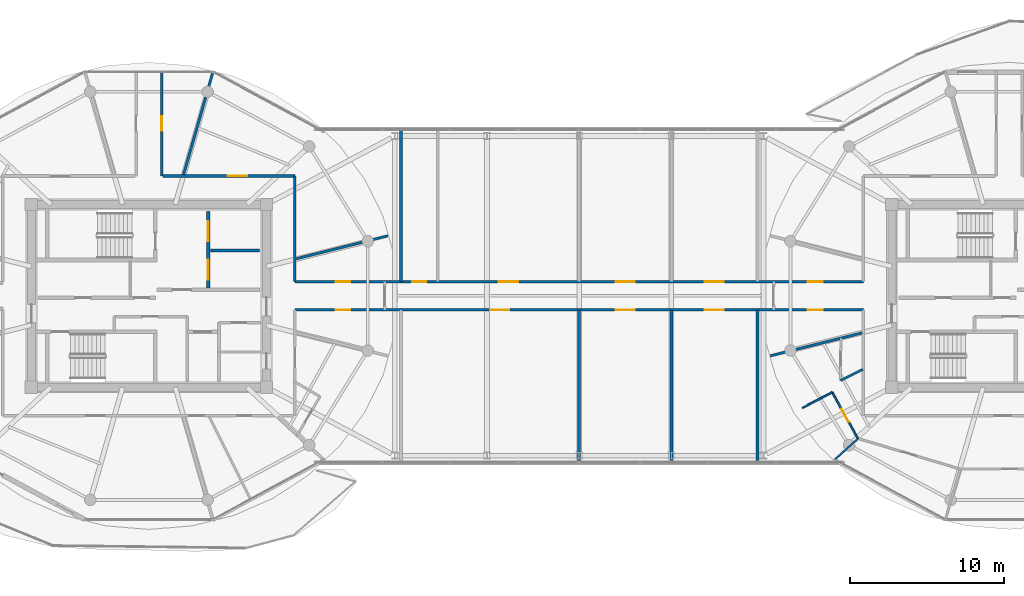
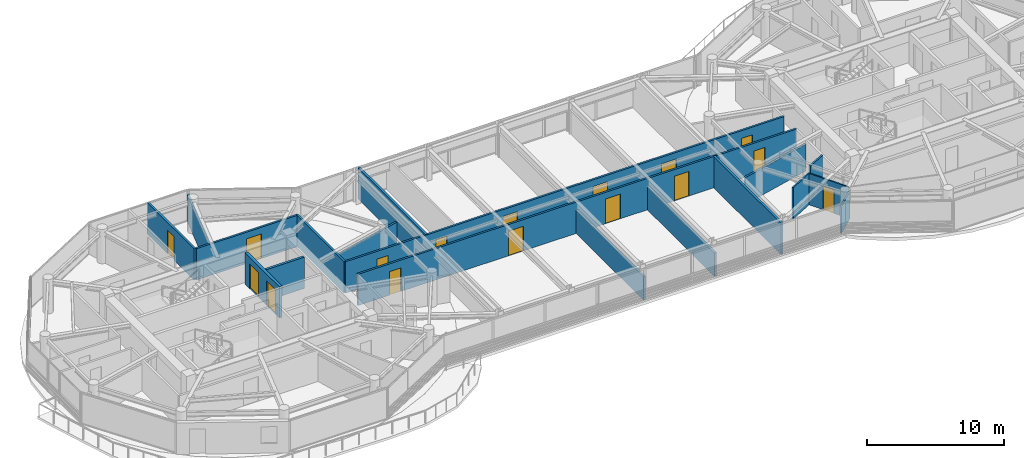
# One storey, part 16 of 23: 18 walls, 16 doors, 16 openings.
"""IFC4 building model written with IfcOpenShell, lengths in metres."""

from ifc_helpers import new_model, si_unit, direction, frame, frame_2d, origin, place, context, subcontext, project, spatial, rectangle, extrude, source, transform, mapped, material, layer, layer_set, type_object, type_shapes, element, fill, save


model = new_model("IFC4")

# Units and contexts
model_context = context("Model", 3, precision=1e-05, world=origin(), true_north=direction((0.0, 1.0)))
body_context = subcontext(model_context, "Body", "Model", "MODEL_VIEW")
ifc_project = project(units=[si_unit("LENGTHUNIT", "METRE"), si_unit("AREAUNIT", "SQUARE_METRE"), si_unit("VOLUMEUNIT", "CUBIC_METRE"), si_unit("PLANEANGLEUNIT", "RADIAN"), si_unit("MASSUNIT", "GRAM", prefix="KILO")], contexts=[model_context])

# Site, building, storey
site_placement = place(None, origin())
site = spatial("IfcSite", under=ifc_project, at=site_placement, CompositionType="ELEMENT")
building_placement = place(site_placement, origin())
building = spatial("IfcBuilding", under=site, at=building_placement, Name="Norrkilde Senior Care Towers", CompositionType="ELEMENT")
storey_placement = place(building_placement, frame((0.0, 0.0, 229.14990234375)))
storey = spatial("IfcBuildingStorey", under=building, at=storey_placement, Name="L71", CompositionType="ELEMENT", Elevation=229.14990234375)

# Wall, openings, doors
ifc_material_1 = material(Name="Concrete C45/55", Category="concrete")
ifc_layer_1 = layer(ifc_material_1, 0.239990234375)
ifc_layer_set_1 = layer_set([ifc_layer_1], Name="Concrete C45/55")
wall_type_1 = type_object("IfcWallType", Name="Lift and Plant Rated Enclosure Partition 240", PredefinedType="PARTITIONING", material=ifc_layer_set_1)
shared_shape_1 = source(origin(), body_context, "Body", "SweptSolid", [
    extrude(rectangle(XDim=5.0, YDim=0.239990234375, at=frame_2d((2.5, 0.0))), origin(), (0.0, 0.0, 1.0), 2.795166015625),
])
type_shapes(wall_type_1, [shared_shape_1])
wall_1_placement = place(storey_placement, frame((-24.139892578125, 0.5, 0.0), z_axis=(0.0, 0.0, 1.0), x_axis=(0.0, 1.0, 0.0)))
wall_1 = element("IfcWall", 1, at=wall_1_placement, inside=storey, type_object=wall_type_1, Name="WL-INT-L71-W-FFLE", PredefinedType="PARTITIONING", context=body_context, shape_type="MappedRepresentation", body=[
    mapped(shared_shape_1, transform((0.0, 0.0, 0.0), x_axis=(1.0, 0.0, 0.0), y_axis=(0.0, 1.0, 0.0), z_axis=(0.0, 0.0, 1.0), scale=1.0)),
])
opening_1_placement = place(wall_1_placement, frame((3.050048828125, 0.0, 0.0)))
opening_1 = element("IfcOpeningElement", 2, at=opening_1_placement, cuts=wall_1, Name="Opening LD-02", PredefinedType="OPENING", context=body_context, shape_type="SweptSolid", body=[
    extrude(rectangle(XDim=1.300048828125, YDim=2.199951171875, at=frame_2d((0.64990234375, 1.10009765625))), frame((0.0, 0.1298828125, 0.0), z_axis=(0.0, -1.0, 0.0), x_axis=(1.0, 0.0, 0.0)), (0.0, 0.0, 1.0), 0.260009765625),
])
opening_2_placement = place(wall_1_placement, frame((0.550048828125, 0.0, 0.0)))
opening_2 = element("IfcOpeningElement", 3, at=opening_2_placement, cuts=wall_1, Name="Opening LD-02", PredefinedType="OPENING", context=body_context, shape_type="SweptSolid", body=[
    extrude(rectangle(XDim=1.300048828125, YDim=2.199951171875, at=frame_2d((0.64990234375, 1.10009765625))), frame((0.0, 0.1298828125, 0.0), z_axis=(0.0, -1.0, 0.0), x_axis=(1.0, 0.0, 0.0)), (0.0, 0.0, 1.0), 0.260009765625),
])
ifc_material_2 = material(Name="Stainless Steel", Category="steel")
door_type_1 = type_object("IfcDoorType", Name="Stretcher and FFL Landing Sliding Door 1300x2200", OperationType="NOTDEFINED", PredefinedType="DOOR", material=ifc_material_2)
shared_shape_2 = source(origin(), body_context, "Body", "SweptSolid", [
    extrude(rectangle(XDim=1.300048828125, YDim=2.199951171875, at=frame_2d((0.64990234375, 1.10009765625))), frame((0.0, 0.02490234375, 0.0), z_axis=(0.0, -1.0, 0.0), x_axis=(1.0, 0.0, 0.0)), (0.0, 0.0, 1.0), 0.050048828125),
])
type_shapes(door_type_1, [shared_shape_2])
door_1_placement = place(opening_1_placement, origin())
door_1 = element("IfcDoor", 4, at=door_1_placement, inside=storey, type_object=door_type_1, Name="L71 Firefighting Lift W1 Landing Door", OperationType="SLIDING_TO_LEFT", OverallHeight=2.199951171875, OverallWidth=1.300048828125, PredefinedType="DOOR", context=body_context, shape_type="MappedRepresentation", body=[
    mapped(shared_shape_2, transform((0.0, 0.0, 0.0), x_axis=(1.0, 0.0, 0.0), y_axis=(0.0, 1.0, 0.0), z_axis=(0.0, 0.0, 1.0), scale=1.0)),
])
fill(opening_1, door_1)
door_2_placement = place(opening_2_placement, origin())
door_2 = element("IfcDoor", 5, at=door_2_placement, inside=storey, type_object=door_type_1, Name="L71 Stretcher Lift W1 Landing Door", OperationType="SLIDING_TO_RIGHT", OverallHeight=2.199951171875, OverallWidth=1.300048828125, PredefinedType="DOOR", context=body_context, shape_type="MappedRepresentation", body=[
    mapped(shared_shape_2, transform((0.0, 0.0, 0.0), x_axis=(1.0, 0.0, 0.0), y_axis=(0.0, 1.0, 0.0), z_axis=(0.0, 0.0, 1.0), scale=1.0)),
])
fill(opening_2, door_2)

# Wall
ifc_layer_2 = layer(ifc_material_1, 0.199951171875)
ifc_layer_set_2 = layer_set([ifc_layer_2], Name="Concrete C45/55")
wall_type_2 = type_object("IfcWallType", Name="Shaft Division and Plant Partition 200", PredefinedType="PARTITIONING", material=ifc_layer_set_2)
shared_shape_3 = source(origin(), body_context, "Body", "SweptSolid", [
    extrude(rectangle(XDim=3.199951171875, YDim=0.199951171875, at=frame_2d((1.60009765625, 0.0))), origin(), (0.0, 0.0, 1.0), 2.795166015625),
])
type_shapes(wall_type_2, [shared_shape_3])
wall_2_placement = place(storey_placement, frame((-24.0, 2.949951171875, 0.0), z_axis=(0.0, 0.0, 1.0), x_axis=(1.0, 0.0, 0.0)))
element("IfcWall", 6, at=wall_2_placement, inside=storey, type_object=wall_type_2, Name="WL-INT-L71-W-FFLDIV", PredefinedType="PARTITIONING", context=body_context, shape_type="MappedRepresentation", body=[
    mapped(shared_shape_3, transform((0.0, 0.0, 0.0), x_axis=(1.0, 0.0, 0.0), y_axis=(0.0, 1.0, 0.0), z_axis=(0.0, 0.0, 1.0), scale=1.0)),
])

# Wall, opening, door
ifc_material_3 = material(Name="Gypsum Acoustic Board")
ifc_layer_3 = layer(ifc_material_3, 0.1650390625)
ifc_layer_set_3 = layer_set([ifc_layer_3], Name="Gypsum Acoustic Board")
wall_type_3 = type_object("IfcWallType", Name="Corridor Rated Partition 165", PredefinedType="PARTITIONING", material=ifc_layer_set_3)
shared_shape_4 = source(origin(), body_context, "Body", "SweptSolid", [
    extrude(rectangle(XDim=8.580078125, YDim=0.1650390625, at=frame_2d((4.2900390625, 0.0))), origin(), (0.0, 0.0, 1.0), 2.795166015625),
])
wall_3_placement = place(storey_placement, frame((-27.080078125, 7.800048828125, 0.0), z_axis=(0.0, 0.0, 1.0), x_axis=(1.0, 0.0, 0.0)))
wall_3 = element("IfcWall", 7, at=wall_3_placement, inside=storey, type_object=wall_type_3, Name="WL-INT-L71-W-CRW-N-1", PredefinedType="PARTITIONING", context=body_context, shape_type="MappedRepresentation", body=[
    mapped(shared_shape_4, transform((0.0, 0.0, 0.0), x_axis=(1.0, 0.0, 0.0), y_axis=(0.0, 1.0, 0.0), z_axis=(0.0, 0.0, 1.0), scale=1.0)),
])
opening_3_placement = place(wall_3_placement, frame((4.2197265625, 0.0, 0.0)))
opening_3 = element("IfcOpeningElement", 8, at=opening_3_placement, cuts=wall_3, Name="Opening D-05", PredefinedType="OPENING", context=body_context, shape_type="SweptSolid", body=[
    extrude(rectangle(XDim=1.25, YDim=2.199951171875, at=frame_2d((0.625, 1.10009765625))), frame((0.0, 0.092529296875, 0.0), z_axis=(0.0, -1.0, 0.0), x_axis=(1.0, 0.0, 0.0)), (0.0, 0.0, 1.0), 0.18505859375),
])
ifc_material_4 = material(Name="Nordic Ash Timber", Category="wood")
door_type_2 = type_object("IfcDoorType", Name="Care Bedroom Bariatric Door 1250x2200", OperationType="NOTDEFINED", PredefinedType="DOOR", material=ifc_material_4)
shared_shape_5 = source(origin(), body_context, "Body", "SweptSolid", [
    extrude(rectangle(XDim=1.25, YDim=2.199951171875, at=frame_2d((0.625, 1.10009765625))), frame((0.0, 0.02490234375, 0.0), z_axis=(0.0, -1.0, 0.0), x_axis=(1.0, 0.0, 0.0)), (0.0, 0.0, 1.0), 0.050048828125),
])
type_shapes(door_type_2, [shared_shape_5])
door_3_placement = place(opening_3_placement, frame((1.25, 0.0, 0.0), z_axis=(0.0, 0.0, 1.0), x_axis=(-1.0, 0.0, 0.0)))
door_3 = element("IfcDoor", 9, at=door_3_placement, inside=storey, type_object=door_type_2, Name="L71 Household Communal Dining Salon Door", OperationType="SINGLE_SWING_LEFT", OverallHeight=2.199951171875, OverallWidth=1.25, PredefinedType="DOOR", context=body_context, shape_type="MappedRepresentation", body=[
    mapped(shared_shape_5, transform((0.0, 0.0, 0.0), x_axis=(1.0, 0.0, 0.0), y_axis=(0.0, 1.0, 0.0), z_axis=(0.0, 0.0, 1.0), scale=1.0)),
])
fill(opening_3, door_3)

# Walls
shared_shape_6 = source(origin(), body_context, "Body", "SweptSolid", [
    extrude(rectangle(XDim=6.880126953125, YDim=0.1650390625, at=frame_2d((3.43994140625, 0.0))), origin(), (0.0, 0.0, 1.0), 2.795166015625),
])
wall_4_placement = place(storey_placement, frame((-18.5, 7.800048828125, 0.0), z_axis=(0.0, 0.0, 1.0), x_axis=(0.0, -1.0, 0.0)))
element("IfcWall", 10, at=wall_4_placement, inside=storey, type_object=wall_type_3, Name="WL-INT-L71-W-CRW-E-0", PredefinedType="PARTITIONING", context=body_context, shape_type="MappedRepresentation", body=[
    mapped(shared_shape_6, transform((0.0, 0.0, 0.0), x_axis=(1.0, 0.0, 0.0), y_axis=(0.0, 1.0, 0.0), z_axis=(0.0, 0.0, 1.0), scale=1.0)),
])
shared_shape_7 = source(origin(), body_context, "Body", "SweptSolid", [
    extrude(rectangle(XDim=6.973876953125, YDim=0.1650390625, at=frame_2d((3.48681640625, 0.0))), origin(), (0.0, 0.0, 1.0), 2.39501953125),
])
wall_5_placement = place(storey_placement, frame((-25.748779296875, 7.8798828125, 0.0), z_axis=(0.0, 0.0, 1.0), x_axis=(0.274707256801, 0.961527910703, 0.0)))
element("IfcWall", 11, at=wall_5_placement, inside=storey, type_object=wall_type_3, Name="WL-INT-L71-W-DEM-02-0", PredefinedType="PARTITIONING", context=body_context, shape_type="MappedRepresentation", body=[
    mapped(shared_shape_7, transform((0.0, 0.0, 0.0), x_axis=(1.0, 0.0, 0.0), y_axis=(0.0, 1.0, 0.0), z_axis=(0.0, 0.0, 1.0), scale=1.0)),
])
shared_shape_8 = source(origin(), body_context, "Body", "SweptSolid", [
    extrude(rectangle(XDim=6.1572265625, YDim=0.1650390625, at=frame_2d((3.07861328125, 0.0))), origin(), (0.0, 0.0, 1.0), 2.39501953125),
])
for number, where, z_axis, x_axis, name in (
    (12, (-18.419921875, 2.407470703125, 0.0), (0.0, 0.0, 1.0), (0.969840867184, 0.243738984038, 0.0), "WL-INT-L71-W-DEM-00-0"),
    (13, (18.419921875, -2.407470703125, 0.0), (0.0, 0.0, 1.0), (-0.969840867184, -0.243738984038, 0.0), "WL-INT-L71-E-DEM-06-0"),
):
    element("IfcWall", number, at=place(storey_placement, frame(where, z_axis=z_axis, x_axis=x_axis)), inside=storey, type_object=wall_type_3, Name=name, PredefinedType="PARTITIONING", context=body_context, shape_type="MappedRepresentation", body=[
        mapped(shared_shape_8, transform((0.0, 0.0, 0.0), x_axis=(1.0, 0.0, 0.0), y_axis=(0.0, 1.0, 0.0), z_axis=(0.0, 0.0, 1.0), scale=1.0)),
    ])

# Wall, opening, door
shared_shape_9 = source(origin(), body_context, "Body", "SweptSolid", [
    extrude(rectangle(XDim=6.83544921875, YDim=0.1650390625, at=frame_2d((3.417724609375, 0.0))), origin(), (0.0, 0.0, 1.0), 2.795166015625),
])
wall_6_placement = place(storey_placement, frame((-27.159912109375, 14.635498046875, 0.0), z_axis=(0.0, 0.0, 1.0), x_axis=(0.0, -1.0, 0.0)))
wall_6 = element("IfcWall", 14, at=wall_6_placement, inside=storey, type_object=wall_type_3, Name="WL-INT-L71-W-SPK-N2-0", PredefinedType="PARTITIONING", context=body_context, shape_type="MappedRepresentation", body=[
    mapped(shared_shape_9, transform((0.0, 0.0, 0.0), x_axis=(1.0, 0.0, 0.0), y_axis=(0.0, 1.0, 0.0), z_axis=(0.0, 0.0, 1.0), scale=1.0)),
])
opening_4_placement = place(wall_6_placement, frame((2.942626953125, 0.0, 0.0)))
opening_4 = element("IfcOpeningElement", 15, at=opening_4_placement, cuts=wall_6, Name="Opening D-07", PredefinedType="OPENING", context=body_context, shape_type="SweptSolid", body=[
    extrude(rectangle(XDim=0.949951171875, YDim=2.10009765625, at=frame_2d((0.47509765625, 1.050048828125))), frame((0.0, 0.092529296875, 0.0), z_axis=(0.0, -1.0, 0.0), x_axis=(1.0, 0.0, 0.0)), (0.0, 0.0, 1.0), 0.18505859375),
])
door_type_3 = type_object("IfcDoorType", Name="Internal Suite Bedroom Door 950x2100", OperationType="NOTDEFINED", PredefinedType="DOOR", material=ifc_material_4)
shared_shape_10 = source(origin(), body_context, "Body", "SweptSolid", [
    extrude(rectangle(XDim=0.949951171875, YDim=2.10009765625, at=frame_2d((0.47509765625, 1.050048828125))), frame((0.0, 0.02490234375, 0.0), z_axis=(0.0, -1.0, 0.0), x_axis=(1.0, 0.0, 0.0)), (0.0, 0.0, 1.0), 0.050048828125),
])
type_shapes(door_type_3, [shared_shape_10])
door_4_placement = place(opening_4_placement, frame((0.949951171875, 0.0, 0.0), z_axis=(0.0, 0.0, 1.0), x_axis=(-1.0, 0.0, 0.0)))
door_4 = element("IfcDoor", 16, at=door_4_placement, inside=storey, type_object=door_type_3, Name="L71 Sun Reading Lounge 4 Door", OperationType="SINGLE_SWING_LEFT", OverallHeight=2.10009765625, OverallWidth=0.949951171875, PredefinedType="DOOR", context=body_context, shape_type="MappedRepresentation", body=[
    mapped(shared_shape_10, transform((0.0, 0.0, 0.0), x_axis=(1.0, 0.0, 0.0), y_axis=(0.0, 1.0, 0.0), z_axis=(0.0, 0.0, 1.0), scale=1.0)),
])
fill(opening_4, door_4)

# Walls
ifc_layer_4 = layer(ifc_material_3, 0.114990234375)
ifc_layer_set_4 = layer_set([ifc_layer_4], Name="Gypsum Acoustic Board")
wall_type_4 = type_object("IfcWallType", Name="Internal Room Partition 115", PredefinedType="PARTITIONING", material=ifc_layer_set_4)
shared_shape_11 = source(origin(), body_context, "Body", "SweptSolid", [
    extrude(rectangle(XDim=2.071533203125, YDim=0.114990234375, at=frame_2d((1.03564453125, 0.0))), origin(), (0.0, 0.0, 1.0), 2.39501953125),
])
wall_7_placement = place(storey_placement, frame((18.1513671875, -9.287109375, 0.0), z_axis=(0.0, 0.0, 1.0), x_axis=(-0.741410125356, -0.671052178314, 0.0)))
element("IfcWall", 17, at=wall_7_placement, inside=storey, type_object=wall_type_4, Name="WL-INT-L71-E-UBR-06-1", PredefinedType="PARTITIONING", context=body_context, shape_type="MappedRepresentation", body=[
    mapped(shared_shape_11, transform((0.0, 0.0, 0.0), x_axis=(1.0, 0.0, 0.0), y_axis=(0.0, 1.0, 0.0), z_axis=(0.0, 0.0, 1.0), scale=1.0)),
])
ifc_layer_5 = layer(ifc_material_3, 0.139892578125)
ifc_layer_set_5 = layer_set([ifc_layer_5], Name="Gypsum Acoustic Board")
wall_type_5 = type_object("IfcWallType", Name="En-suite Wet Room Wall 140", PredefinedType="PARTITIONING", material=ifc_layer_set_5)
shared_shape_12 = source(origin(), body_context, "Body", "SweptSolid", [
    extrude(rectangle(XDim=1.638427734375, YDim=0.139892578125, at=frame_2d((0.8193359375, 0.0))), origin(), (0.0, 0.0, 1.0), 2.795166015625),
])
type_shapes(wall_type_5, [shared_shape_12])
wall_8_placement = place(storey_placement, frame((18.469970703125, -4.7783203125, 0.0), z_axis=(0.0, 0.0, 1.0), x_axis=(-0.893919977945, -0.448226586707, 0.0)))
element("IfcWall", 18, at=wall_8_placement, inside=storey, type_object=wall_type_5, Name="WL-INT-L71-E-UBTS-06", PredefinedType="PARTITIONING", context=body_context, shape_type="MappedRepresentation", body=[
    mapped(shared_shape_12, transform((0.0, 0.0, 0.0), x_axis=(1.0, 0.0, 0.0), y_axis=(0.0, 1.0, 0.0), z_axis=(0.0, 0.0, 1.0), scale=1.0)),
])
shared_shape_13 = source(origin(), body_context, "Body", "SweptSolid", [
    extrude(rectangle(XDim=2.193115234375, YDim=0.114990234375, at=frame_2d((1.0966796875, 0.0))), origin(), (0.0, 0.0, 1.0), 2.795166015625),
])
wall_9_placement = place(storey_placement, frame((16.474609375, -6.27490234375, 0.0), z_axis=(0.0, 0.0, 1.0), x_axis=(-0.885783595046, -0.464098505435, 0.0)))
element("IfcWall", 19, at=wall_9_placement, inside=storey, type_object=wall_type_4, Name="WL-INT-L71-E-UKTS-06", PredefinedType="PARTITIONING", context=body_context, shape_type="MappedRepresentation", body=[
    mapped(shared_shape_13, transform((0.0, 0.0, 0.0), x_axis=(1.0, 0.0, 0.0), y_axis=(0.0, 1.0, 0.0), z_axis=(0.0, 0.0, 1.0), scale=1.0)),
])

# Wall, opening, door
shared_shape_14 = source(origin(), body_context, "Body", "SweptSolid", [
    extrude(rectangle(XDim=3.4501953125, YDim=0.114990234375, at=frame_2d((1.72509765625, 0.0))), origin(), (0.0, 0.0, 1.0), 2.795166015625),
])
type_shapes(wall_type_4, [shared_shape_11, shared_shape_13, shared_shape_14])
wall_10_placement = place(storey_placement, frame((16.474609375, -6.27490234375, 0.0), z_axis=(0.0, 0.0, 1.0), x_axis=(0.483659007882, -0.875256513312, 0.0)))
wall_10 = element("IfcWall", 20, at=wall_10_placement, inside=storey, type_object=wall_type_4, Name="WL-INT-L71-E-UKTF-06", PredefinedType="PARTITIONING", context=body_context, shape_type="MappedRepresentation", body=[
    mapped(shared_shape_14, transform((0.0, 0.0, 0.0), x_axis=(1.0, 0.0, 0.0), y_axis=(0.0, 1.0, 0.0), z_axis=(0.0, 0.0, 1.0), scale=1.0)),
])
opening_5_placement = place(wall_10_placement, frame((1.25, 0.0, 0.0)))
opening_5 = element("IfcOpeningElement", 21, at=opening_5_placement, cuts=wall_10, Name="Opening D-07", PredefinedType="OPENING", context=body_context, shape_type="SweptSolid", body=[
    extrude(rectangle(XDim=0.949951171875, YDim=2.10009765625, at=frame_2d((0.47509765625, 1.050048828125))), frame((0.0, 0.0673828125, 0.0), z_axis=(0.0, -1.0, 0.0), x_axis=(1.0, 0.0, 0.0)), (0.0, 0.0, 1.0), 0.135009765625),
])
door_5_placement = place(opening_5_placement, frame((0.949951171875, 0.0, 0.0), z_axis=(0.0, 0.0, 1.0), x_axis=(-1.0, 0.0, 0.0)))
door_5 = element("IfcDoor", 22, at=door_5_placement, inside=storey, type_object=door_type_3, Name="Apartment 71D Kitchen Door", OperationType="SINGLE_SWING_LEFT", OverallHeight=2.10009765625, OverallWidth=0.949951171875, PredefinedType="DOOR", context=body_context, shape_type="MappedRepresentation", body=[
    mapped(shared_shape_10, transform((0.0, 0.0, 0.0), x_axis=(1.0, 0.0, 0.0), y_axis=(0.0, 1.0, 0.0), z_axis=(0.0, 0.0, 1.0), scale=1.0)),
])
fill(opening_5, door_5)

# Wall, openings, doors
shared_shape_15 = source(origin(), body_context, "Body", "SweptSolid", [
    extrude(rectangle(XDim=37.0, YDim=0.1650390625, at=frame_2d((18.5, 0.0))), origin(), (0.0, 0.0, 1.0), 2.795166015625),
])
type_shapes(wall_type_3, [shared_shape_4, shared_shape_6, shared_shape_7, shared_shape_8, shared_shape_9, shared_shape_15])
wall_11_placement = place(storey_placement, frame((-18.5, -0.919921875, 0.0), z_axis=(0.0, 0.0, 1.0), x_axis=(1.0, 0.0, 0.0)))
wall_11 = element("IfcWall", 23, at=wall_11_placement, inside=storey, type_object=wall_type_3, Name="WL-INT-L71-BR-CS", PredefinedType="PARTITIONING", context=body_context, shape_type="MappedRepresentation", body=[
    mapped(shared_shape_15, transform((0.0, 0.0, 0.0), x_axis=(1.0, 0.0, 0.0), y_axis=(0.0, 1.0, 0.0), z_axis=(0.0, 0.0, 1.0), scale=1.0)),
])
opening_6_placement = place(wall_11_placement, frame((2.66162109375, 0.0, 0.0)))
opening_6 = element("IfcOpeningElement", 24, at=opening_6_placement, cuts=wall_11, Name="Opening D-07", PredefinedType="OPENING", context=body_context, shape_type="SweptSolid", body=[
    extrude(rectangle(XDim=0.949951171875, YDim=2.10009765625, at=frame_2d((0.47509765625, 1.050048828125))), frame((0.0, 0.092529296875, 0.0), z_axis=(0.0, -1.0, 0.0), x_axis=(1.0, 0.0, 0.0)), (0.0, 0.0, 1.0), 0.18505859375),
])
opening_7_placement = place(wall_11_placement, frame((33.38818359375, 0.0, 0.0)))
opening_7 = element("IfcOpeningElement", 25, at=opening_7_placement, cuts=wall_11, Name="Opening D-07", PredefinedType="OPENING", context=body_context, shape_type="SweptSolid", body=[
    extrude(rectangle(XDim=0.949951171875, YDim=2.10009765625, at=frame_2d((0.47509765625, 1.050048828125))), frame((0.0, 0.092529296875, 0.0), z_axis=(0.0, -1.0, 0.0), x_axis=(1.0, 0.0, 0.0)), (0.0, 0.0, 1.0), 0.18505859375),
])
opening_8_placement = place(wall_11_placement, frame((12.7099609375, 0.0, 0.0)))
opening_8 = element("IfcOpeningElement", 26, at=opening_8_placement, cuts=wall_11, Name="Opening D-05", PredefinedType="OPENING", context=body_context, shape_type="SweptSolid", body=[
    extrude(rectangle(XDim=1.25, YDim=2.199951171875, at=frame_2d((0.625, 1.10009765625))), frame((0.0, 0.092529296875, 0.0), z_axis=(0.0, -1.0, 0.0), x_axis=(1.0, 0.0, 0.0)), (0.0, 0.0, 1.0), 0.18505859375),
])
opening_9_placement = place(wall_11_placement, frame((20.875, 0.0, 0.0)))
opening_9 = element("IfcOpeningElement", 27, at=opening_9_placement, cuts=wall_11, Name="Opening D-05", PredefinedType="OPENING", context=body_context, shape_type="SweptSolid", body=[
    extrude(rectangle(XDim=1.25, YDim=2.199951171875, at=frame_2d((0.625, 1.10009765625))), frame((0.0, 0.092529296875, 0.0), z_axis=(0.0, -1.0, 0.0), x_axis=(1.0, 0.0, 0.0)), (0.0, 0.0, 1.0), 0.18505859375),
])
opening_10_placement = place(wall_11_placement, frame((26.675048828125, 0.0, 0.0)))
opening_10 = element("IfcOpeningElement", 28, at=opening_10_placement, cuts=wall_11, Name="Opening D-05", PredefinedType="OPENING", context=body_context, shape_type="SweptSolid", body=[
    extrude(rectangle(XDim=1.25, YDim=2.199951171875, at=frame_2d((0.625, 1.10009765625))), frame((0.0, 0.092529296875, 0.0), z_axis=(0.0, -1.0, 0.0), x_axis=(1.0, 0.0, 0.0)), (0.0, 0.0, 1.0), 0.18505859375),
])
door_6_placement = place(opening_8_placement, origin())
door_6 = element("IfcDoor", 29, at=door_6_placement, inside=storey, type_object=door_type_2, Name="L71 Bridge South Room 1 Door", OperationType="SINGLE_SWING_LEFT", OverallHeight=2.199951171875, OverallWidth=1.25, PredefinedType="DOOR", context=body_context, shape_type="MappedRepresentation", body=[
    mapped(shared_shape_5, transform((0.0, 0.0, 0.0), x_axis=(1.0, 0.0, 0.0), y_axis=(0.0, 1.0, 0.0), z_axis=(0.0, 0.0, 1.0), scale=1.0)),
])
fill(opening_8, door_6)
door_7_placement = place(opening_9_placement, origin())
door_7 = element("IfcDoor", 30, at=door_7_placement, inside=storey, type_object=door_type_2, Name="L71 Bridge South Room 2 Door", OperationType="SINGLE_SWING_RIGHT", OverallHeight=2.199951171875, OverallWidth=1.25, PredefinedType="DOOR", context=body_context, shape_type="MappedRepresentation", body=[
    mapped(shared_shape_5, transform((0.0, 0.0, 0.0), x_axis=(1.0, 0.0, 0.0), y_axis=(0.0, 1.0, 0.0), z_axis=(0.0, 0.0, 1.0), scale=1.0)),
])
fill(opening_9, door_7)
door_8_placement = place(opening_10_placement, origin())
door_8 = element("IfcDoor", 31, at=door_8_placement, inside=storey, type_object=door_type_2, Name="L71 Bridge South Room 3 Door", OperationType="SINGLE_SWING_LEFT", OverallHeight=2.199951171875, OverallWidth=1.25, PredefinedType="DOOR", context=body_context, shape_type="MappedRepresentation", body=[
    mapped(shared_shape_5, transform((0.0, 0.0, 0.0), x_axis=(1.0, 0.0, 0.0), y_axis=(0.0, 1.0, 0.0), z_axis=(0.0, 0.0, 1.0), scale=1.0)),
])
fill(opening_10, door_8)
door_9_placement = place(opening_6_placement, frame((0.949951171875, 0.0, 0.0), z_axis=(0.0, 0.0, 1.0), x_axis=(-1.0, 0.0, 0.0)))
door_9 = element("IfcDoor", 32, at=door_9_placement, inside=storey, type_object=door_type_3, Name="L71 Sun Reading Lounge 5 Door", OperationType="SINGLE_SWING_RIGHT", OverallHeight=2.10009765625, OverallWidth=0.949951171875, PredefinedType="DOOR", context=body_context, shape_type="MappedRepresentation", body=[
    mapped(shared_shape_10, transform((0.0, 0.0, 0.0), x_axis=(1.0, 0.0, 0.0), y_axis=(0.0, 1.0, 0.0), z_axis=(0.0, 0.0, 1.0), scale=1.0)),
])
fill(opening_6, door_9)
door_10_placement = place(opening_7_placement, frame((0.949951171875, 0.0, 0.0), z_axis=(0.0, 0.0, 1.0), x_axis=(-1.0, 0.0, 0.0)))
door_10 = element("IfcDoor", 33, at=door_10_placement, inside=storey, type_object=door_type_3, Name="L71 Sun Reading Lounge 1 Door", OperationType="SINGLE_SWING_RIGHT", OverallHeight=2.10009765625, OverallWidth=0.949951171875, PredefinedType="DOOR", context=body_context, shape_type="MappedRepresentation", body=[
    mapped(shared_shape_10, transform((0.0, 0.0, 0.0), x_axis=(1.0, 0.0, 0.0), y_axis=(0.0, 1.0, 0.0), z_axis=(0.0, 0.0, 1.0), scale=1.0)),
])
fill(opening_7, door_10)

wall_12_placement = place(storey_placement, frame((-18.5, 0.919921875, 0.0), z_axis=(0.0, 0.0, 1.0), x_axis=(1.0, 0.0, 0.0)))
wall_12 = element("IfcWall", 34, at=wall_12_placement, inside=storey, type_object=wall_type_3, Name="WL-INT-L71-BR-CN", PredefinedType="PARTITIONING", context=body_context, shape_type="MappedRepresentation", body=[
    mapped(shared_shape_15, transform((0.0, 0.0, 0.0), x_axis=(1.0, 0.0, 0.0), y_axis=(0.0, 1.0, 0.0), z_axis=(0.0, 0.0, 1.0), scale=1.0)),
])
opening_11_placement = place(wall_12_placement, frame((2.66162109375, 0.0, 0.0)))
opening_11 = element("IfcOpeningElement", 35, at=opening_11_placement, cuts=wall_12, Name="Opening D-07", PredefinedType="OPENING", context=body_context, shape_type="SweptSolid", body=[
    extrude(rectangle(XDim=0.949951171875, YDim=2.10009765625, at=frame_2d((0.47509765625, 1.050048828125))), frame((0.0, 0.092529296875, 0.0), z_axis=(0.0, -1.0, 0.0), x_axis=(1.0, 0.0, 0.0)), (0.0, 0.0, 1.0), 0.18505859375),
])
opening_12_placement = place(wall_12_placement, frame((33.38818359375, 0.0, 0.0)))
opening_12 = element("IfcOpeningElement", 36, at=opening_12_placement, cuts=wall_12, Name="Opening D-07", PredefinedType="OPENING", context=body_context, shape_type="SweptSolid", body=[
    extrude(rectangle(XDim=0.949951171875, YDim=2.10009765625, at=frame_2d((0.47509765625, 1.050048828125))), frame((0.0, 0.092529296875, 0.0), z_axis=(0.0, -1.0, 0.0), x_axis=(1.0, 0.0, 0.0)), (0.0, 0.0, 1.0), 0.18505859375),
])
opening_13_placement = place(wall_12_placement, frame((7.639892578125, 0.0, 0.0)))
opening_13 = element("IfcOpeningElement", 37, at=opening_13_placement, cuts=wall_12, Name="Opening D-08", PredefinedType="OPENING", context=body_context, shape_type="SweptSolid", body=[
    extrude(rectangle(XDim=0.919921875, YDim=2.10009765625, at=frame_2d((0.4599609375, 1.050048828125))), frame((0.0, 0.092529296875, 0.0), z_axis=(0.0, -1.0, 0.0), x_axis=(1.0, 0.0, 0.0)), (0.0, 0.0, 1.0), 0.18505859375),
])
opening_14_placement = place(wall_12_placement, frame((13.27490234375, 0.0, 0.0)))
opening_14 = element("IfcOpeningElement", 38, at=opening_14_placement, cuts=wall_12, Name="Opening D-05", PredefinedType="OPENING", context=body_context, shape_type="SweptSolid", body=[
    extrude(rectangle(XDim=1.25, YDim=2.199951171875, at=frame_2d((0.625, 1.10009765625))), frame((0.0, 0.092529296875, 0.0), z_axis=(0.0, -1.0, 0.0), x_axis=(1.0, 0.0, 0.0)), (0.0, 0.0, 1.0), 0.18505859375),
])
opening_15_placement = place(wall_12_placement, frame((20.875, 0.0, 0.0)))
opening_15 = element("IfcOpeningElement", 39, at=opening_15_placement, cuts=wall_12, Name="Opening D-05", PredefinedType="OPENING", context=body_context, shape_type="SweptSolid", body=[
    extrude(rectangle(XDim=1.25, YDim=2.199951171875, at=frame_2d((0.625, 1.10009765625))), frame((0.0, 0.092529296875, 0.0), z_axis=(0.0, -1.0, 0.0), x_axis=(1.0, 0.0, 0.0)), (0.0, 0.0, 1.0), 0.18505859375),
])
opening_16_placement = place(wall_12_placement, frame((26.675048828125, 0.0, 0.0)))
opening_16 = element("IfcOpeningElement", 40, at=opening_16_placement, cuts=wall_12, Name="Opening D-05", PredefinedType="OPENING", context=body_context, shape_type="SweptSolid", body=[
    extrude(rectangle(XDim=1.25, YDim=2.199951171875, at=frame_2d((0.625, 1.10009765625))), frame((0.0, 0.092529296875, 0.0), z_axis=(0.0, -1.0, 0.0), x_axis=(1.0, 0.0, 0.0)), (0.0, 0.0, 1.0), 0.18505859375),
])
door_11_placement = place(opening_14_placement, frame((1.25, 0.0, 0.0), z_axis=(0.0, 0.0, 1.0), x_axis=(-1.0, 0.0, 0.0)))
door_11 = element("IfcDoor", 41, at=door_11_placement, inside=storey, type_object=door_type_2, Name="L71 Bridge North Clinic 1 Door", OperationType="SINGLE_SWING_RIGHT", OverallHeight=2.199951171875, OverallWidth=1.25, PredefinedType="DOOR", context=body_context, shape_type="MappedRepresentation", body=[
    mapped(shared_shape_5, transform((0.0, 0.0, 0.0), x_axis=(1.0, 0.0, 0.0), y_axis=(0.0, 1.0, 0.0), z_axis=(0.0, 0.0, 1.0), scale=1.0)),
])
fill(opening_14, door_11)
door_12_placement = place(opening_15_placement, frame((1.25, 0.0, 0.0), z_axis=(0.0, 0.0, 1.0), x_axis=(-1.0, 0.0, 0.0)))
door_12 = element("IfcDoor", 42, at=door_12_placement, inside=storey, type_object=door_type_2, Name="L71 Bridge North Room 2 Door", OperationType="SINGLE_SWING_LEFT", OverallHeight=2.199951171875, OverallWidth=1.25, PredefinedType="DOOR", context=body_context, shape_type="MappedRepresentation", body=[
    mapped(shared_shape_5, transform((0.0, 0.0, 0.0), x_axis=(1.0, 0.0, 0.0), y_axis=(0.0, 1.0, 0.0), z_axis=(0.0, 0.0, 1.0), scale=1.0)),
])
fill(opening_15, door_12)
door_13_placement = place(opening_16_placement, frame((1.25, 0.0, 0.0), z_axis=(0.0, 0.0, 1.0), x_axis=(-1.0, 0.0, 0.0)))
door_13 = element("IfcDoor", 43, at=door_13_placement, inside=storey, type_object=door_type_2, Name="L71 Bridge North Room 3 Door", OperationType="SINGLE_SWING_RIGHT", OverallHeight=2.199951171875, OverallWidth=1.25, PredefinedType="DOOR", context=body_context, shape_type="MappedRepresentation", body=[
    mapped(shared_shape_5, transform((0.0, 0.0, 0.0), x_axis=(1.0, 0.0, 0.0), y_axis=(0.0, 1.0, 0.0), z_axis=(0.0, 0.0, 1.0), scale=1.0)),
])
fill(opening_16, door_13)
door_type_4 = type_object("IfcDoorType", Name="Accessible Wet Room Door 920x2100", OperationType="NOTDEFINED", PredefinedType="DOOR", material=ifc_material_4)
shared_shape_16 = source(origin(), body_context, "Body", "SweptSolid", [
    extrude(rectangle(XDim=0.919921875, YDim=2.10009765625, at=frame_2d((0.4599609375, 1.050048828125))), frame((0.0, 0.02490234375, 0.0), z_axis=(0.0, -1.0, 0.0), x_axis=(1.0, 0.0, 0.0)), (0.0, 0.0, 1.0), 0.050048828125),
])
type_shapes(door_type_4, [shared_shape_16])
door_14_placement = place(opening_13_placement, frame((0.919921875, 0.0, 0.0), z_axis=(0.0, 0.0, 1.0), x_axis=(-1.0, 0.0, 0.0)))
door_14 = element("IfcDoor", 44, at=door_14_placement, inside=storey, type_object=door_type_4, Name="L71 Bridge Accessible WC Door", OperationType="SINGLE_SWING_LEFT", OverallHeight=2.10009765625, OverallWidth=0.919921875, PredefinedType="DOOR", context=body_context, shape_type="MappedRepresentation", body=[
    mapped(shared_shape_16, transform((0.0, 0.0, 0.0), x_axis=(1.0, 0.0, 0.0), y_axis=(0.0, 1.0, 0.0), z_axis=(0.0, 0.0, 1.0), scale=1.0)),
])
fill(opening_13, door_14)
door_15_placement = place(opening_11_placement, frame((0.949951171875, 0.0, 0.0), z_axis=(0.0, 0.0, 1.0), x_axis=(-1.0, 0.0, 0.0)))
door_15 = element("IfcDoor", 45, at=door_15_placement, inside=storey, type_object=door_type_3, Name="L71 Sun Reading Lounge 6 Door", OperationType="SINGLE_SWING_LEFT", OverallHeight=2.10009765625, OverallWidth=0.949951171875, PredefinedType="DOOR", context=body_context, shape_type="MappedRepresentation", body=[
    mapped(shared_shape_10, transform((0.0, 0.0, 0.0), x_axis=(1.0, 0.0, 0.0), y_axis=(0.0, 1.0, 0.0), z_axis=(0.0, 0.0, 1.0), scale=1.0)),
])
fill(opening_11, door_15)
door_16_placement = place(opening_12_placement, frame((0.949951171875, 0.0, 0.0), z_axis=(0.0, 0.0, 1.0), x_axis=(-1.0, 0.0, 0.0)))
door_16 = element("IfcDoor", 46, at=door_16_placement, inside=storey, type_object=door_type_3, Name="L71 Sun Reading Lounge 2 Door", OperationType="SINGLE_SWING_LEFT", OverallHeight=2.10009765625, OverallWidth=0.949951171875, PredefinedType="DOOR", context=body_context, shape_type="MappedRepresentation", body=[
    mapped(shared_shape_10, transform((0.0, 0.0, 0.0), x_axis=(1.0, 0.0, 0.0), y_axis=(0.0, 1.0, 0.0), z_axis=(0.0, 0.0, 1.0), scale=1.0)),
])
fill(opening_12, door_16)

# Walls
ifc_layer_6 = layer(ifc_material_3, 0.18994140625)
ifc_layer_set_6 = layer_set([ifc_layer_6], Name="Gypsum Acoustic Board")
wall_type_6 = type_object("IfcWallType", Name="Unit Demising Acoustic Wall 190", PredefinedType="PARTITIONING", material=ifc_layer_set_6)
shared_shape_17 = source(origin(), body_context, "Body", "SweptSolid", [
    extrude(rectangle(XDim=9.880126953125, YDim=0.18994140625, at=frame_2d((4.93994140625, 0.0))), origin(), (0.0, 0.0, 1.0), 2.795166015625),
])
for number, where, z_axis, x_axis, name in (
    (47, (-11.60009765625, 0.919921875, 0.0), (0.0, 0.0, 1.0), (0.0, 1.0, 0.0), "WL-INT-L71-BR-EN-12"),
    (48, (11.60009765625, -10.800048828125, 0.0), (0.0, 0.0, 1.0), (0.0, 1.0, 0.0), "WL-INT-L71-BR-ES+12"),
):
    element("IfcWall", number, at=place(storey_placement, frame(where, z_axis=z_axis, x_axis=x_axis)), inside=storey, type_object=wall_type_6, Name=name, PredefinedType="PARTITIONING", context=body_context, shape_type="MappedRepresentation", body=[
        mapped(shared_shape_17, transform((0.0, 0.0, 0.0), x_axis=(1.0, 0.0, 0.0), y_axis=(0.0, 1.0, 0.0), z_axis=(0.0, 0.0, 1.0), scale=1.0)),
    ])
shared_shape_18 = source(origin(), body_context, "Body", "SweptSolid", [
    extrude(rectangle(XDim=9.880126953125, YDim=0.18994140625, at=frame_2d((4.93994140625, 0.0))), origin(), (0.0, 0.0, 1.0), 2.09521484375),
])
type_shapes(wall_type_6, [shared_shape_17, shared_shape_18])
for number, where, z_axis, x_axis, name in (
    (49, (0.0, -10.800048828125, 0.0), (0.0, 0.0, 1.0), (0.0, 1.0, 0.0), "WL-INT-L71-BR-VS1"),
    (50, (6.0, -10.800048828125, 0.0), (0.0, 0.0, 1.0), (0.0, 1.0, 0.0), "WL-INT-L71-BR-VS2"),
):
    element("IfcWall", number, at=place(storey_placement, frame(where, z_axis=z_axis, x_axis=x_axis)), inside=storey, type_object=wall_type_6, Name=name, PredefinedType="PARTITIONING", context=body_context, shape_type="MappedRepresentation", body=[
        mapped(shared_shape_18, transform((0.0, 0.0, 0.0), x_axis=(1.0, 0.0, 0.0), y_axis=(0.0, 1.0, 0.0), z_axis=(0.0, 0.0, 1.0), scale=1.0)),
    ])

save(model, "model.ifc")
